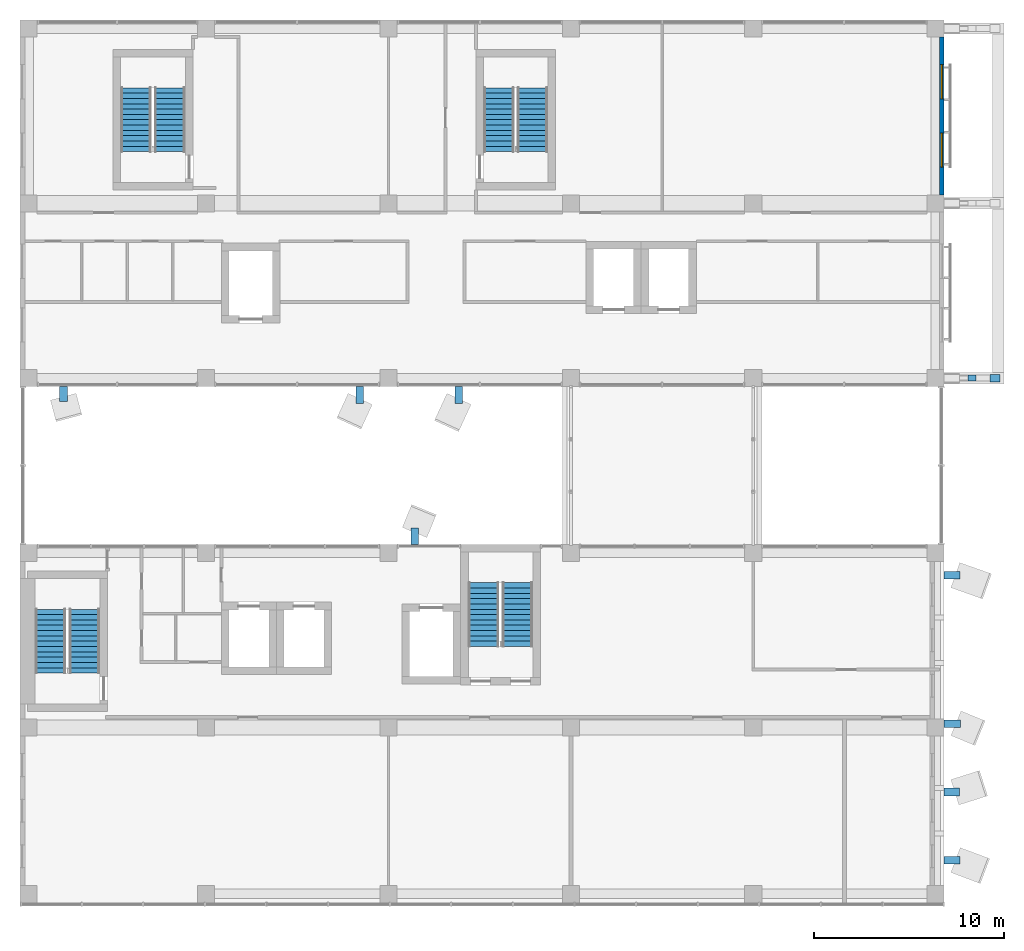
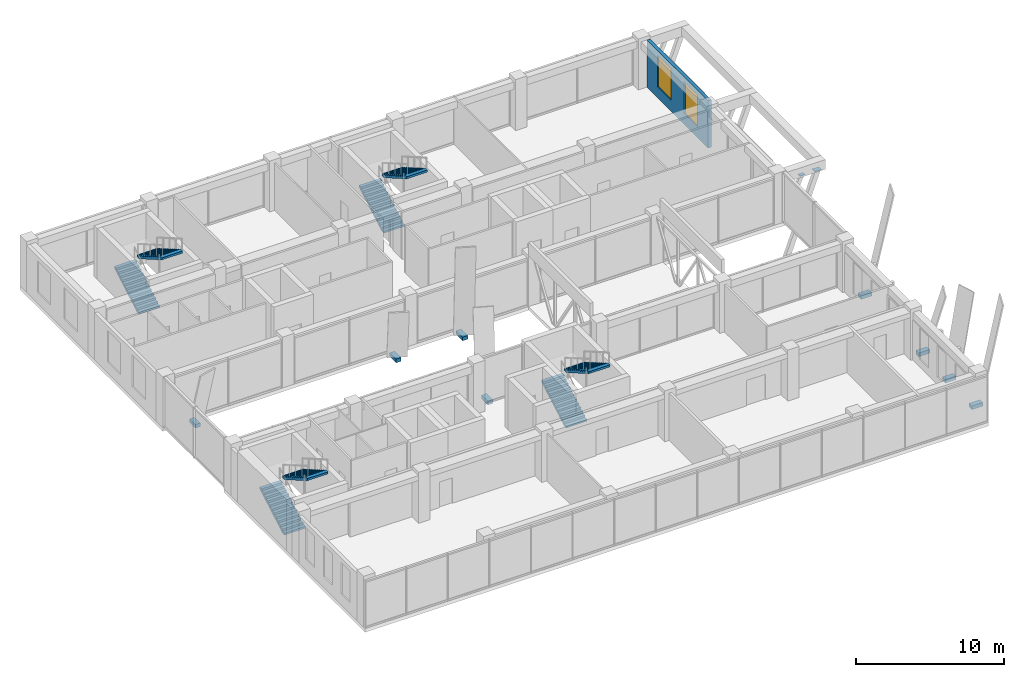
# One storey, part 31 of 38: 10 discrete accessories, 8 stair flights, 2 windows, 1 wall, 2 openings, 4 elements without a shape of their own.
"""IFC4 building model written with IfcOpenShell, lengths in metres."""

from ifc_helpers import new_model, si_unit, direction, frame, frame_2d, origin, origin_2d, place, context, subcontext, project, spatial, polyline, rectangle, outline, extrude, material, layer, layer_set, layer_usage, type_object, element, fill, aggregate, save


model = new_model("IFC4")

# Units and contexts
model_context = context("Model", 3, precision=1e-05, world=origin(), true_north=direction((0.0, 1.0)))
body_context = subcontext(model_context, "Body", "Model", "MODEL_VIEW")
ifc_project = project(units=[si_unit("LENGTHUNIT", "METRE"), si_unit("AREAUNIT", "SQUARE_METRE"), si_unit("VOLUMEUNIT", "CUBIC_METRE"), si_unit("PLANEANGLEUNIT", "RADIAN"), si_unit("MASSUNIT", "GRAM", prefix="KILO")], contexts=[model_context])

# Site, building, storey
site_placement = place(None, origin())
site = spatial("IfcSite", under=ifc_project, at=site_placement, CompositionType="ELEMENT")
building_placement = place(site_placement, origin())
building = spatial("IfcBuilding", under=site, at=building_placement, Name="Nzadi Deep Aquarium and Research Tower", CompositionType="ELEMENT")
storey_placement = place(building_placement, frame((0.0, 0.0, 48.699951171875)))
storey = spatial("IfcBuildingStorey", under=building, at=storey_placement, Name="L09", CompositionType="ELEMENT", Elevation=48.699951171875)

# Wall, openings, windows
ifc_material_1 = material(Name="Concrete C35/45", Category="concrete")
ifc_layer_1 = layer(ifc_material_1, 0.14990234375, Category="cladding")
ifc_material_2 = material(Name="Mineral wool insulation")
ifc_layer_2 = layer(ifc_material_2, 0.070068359375, Category="insulation")
ifc_material_3 = material(Name="Gypsum board lining")
ifc_layer_3 = layer(ifc_material_3, 0.030029296875, Category="lining")
ifc_layer_set = layer_set([ifc_layer_1, ifc_layer_2, ifc_layer_3], Name="Concrete C35/45, Mineral wool insulation, Gypsum board lining")
ifc_layer_usage = layer_usage(ifc_layer_set, "AXIS2", "POSITIVE", -0.125)
wall_type = type_object("IfcWallType", Name="End wall board-formed concrete 250", PredefinedType="ELEMENTEDWALL", material=ifc_layer_set)
wall_placement = place(storey_placement, frame((48.324951171875, 37.25, 0.0), z_axis=(0.0, 0.0, 1.0), x_axis=(0.0, 1.0, 0.0)))
wall = element("IfcWall", 1, at=wall_placement, inside=storey, type_object=wall_type, material=ifc_layer_usage, Name="End wall blade B east L09", PredefinedType="ELEMENTEDWALL", context=body_context, shape_type="SweptSolid", body=[
    extrude(rectangle(XDim=8.300048828125, YDim=0.25, at=frame_2d((4.14990234375, 0.0))), origin(), (0.0, 0.0, 1.0), 3.900146484375),
])
opening_1_placement = place(wall_placement, frame((1.449951171875, 0.0, 0.89990234375)))
opening_1 = element("IfcOpeningElement", 2, at=opening_1_placement, cuts=wall, Name="Opening WN01", PredefinedType="OPENING", context=body_context, shape_type="SweptSolid", body=[
    extrude(rectangle(XDim=1.800048828125, YDim=2.60009765625, at=frame_2d((0.89990234375, 1.300048828125))), frame((0.0, 0.135009765625, 0.0), z_axis=(0.0, -1.0, 0.0), x_axis=(1.0, 0.0, 0.0)), (0.0, 0.0, 1.0), 0.27001953125),
])
opening_2_placement = place(wall_placement, frame((5.050048828125, 0.0, 0.89990234375)))
opening_2 = element("IfcOpeningElement", 3, at=opening_2_placement, cuts=wall, Name="Opening WN01", PredefinedType="OPENING", context=body_context, shape_type="SweptSolid", body=[
    extrude(rectangle(XDim=1.800048828125, YDim=2.60009765625, at=frame_2d((0.89990234375, 1.300048828125))), frame((0.0, 0.135009765625, 0.0), z_axis=(0.0, -1.0, 0.0), x_axis=(1.0, 0.0, 0.0)), (0.0, 0.0, 1.0), 0.27001953125),
])
ifc_material_4 = material(Name="Aluminium window, sage tint glazing", Category="aluminium")
window_type = type_object("IfcWindowType", Name="Slot window 1800x2600 sill 900", PartitioningType="SINGLE_PANEL", PredefinedType="WINDOW", material=ifc_material_4)
window_1_placement = place(opening_1_placement, origin())
window_1 = element("IfcWindow", 4, at=window_1_placement, inside=storey, type_object=window_type, Name="Slot window L09 BE", OverallHeight=2.60009765625, OverallWidth=1.800048828125, PartitioningType="SINGLE_PANEL", PredefinedType="WINDOW", context=body_context, shape_type="SweptSolid", body=[
    extrude(rectangle(XDim=1.800048828125, YDim=2.60009765625, at=frame_2d((0.89990234375, 1.300048828125))), frame((0.0, 0.030029296875, 0.0), z_axis=(0.0, -1.0, 0.0), x_axis=(1.0, 0.0, 0.0)), (0.0, 0.0, 1.0), 0.06005859375),
])
fill(opening_1, window_1)
window_2_placement = place(opening_2_placement, origin())
window_2 = element("IfcWindow", 5, at=window_2_placement, inside=storey, type_object=window_type, Name="Slot window L09 BE", OverallHeight=2.60009765625, OverallWidth=1.800048828125, PartitioningType="SINGLE_PANEL", PredefinedType="WINDOW", context=body_context, shape_type="SweptSolid", body=[
    extrude(rectangle(XDim=1.800048828125, YDim=2.60009765625, at=frame_2d((0.89990234375, 1.300048828125))), frame((0.0, 0.030029296875, 0.0), z_axis=(0.0, -1.0, 0.0), x_axis=(1.0, 0.0, 0.0)), (0.0, 0.0, 1.0), 0.06005859375),
])
fill(opening_2, window_2)

# Stair, stair flights
ifc_material_5 = material(Name="Concrete C35/45", Category="concrete")
stair_type = type_object("IfcStairType", Name="STAIR RETURN 3000", PredefinedType="NOTDEFINED", material=ifc_material_5)
stair_1_placement = place(storey_placement, origin())
stair_1 = element("IfcStair", 6, at=stair_1_placement, inside=storey, type_object=stair_type, Name="Stair ST-Z1-SW L09", PredefinedType="HALF_TURN_STAIR")
ifc_material_6 = material(Name="Concrete C35/45", Category="concrete")
stair_flight_type = type_object("IfcStairFlightType", Name="FLIGHT 1625 13 RISERS 161.5 GOING 280", PredefinedType="STRAIGHT", material=ifc_material_6)
stair_flight_1_placement = place(storey_placement, frame((1.41259765625, 12.070068359375, 0.0), z_axis=(0.0, 0.0, 1.0), x_axis=(0.0, 1.0, 0.0)))
stair_flight_1 = element("IfcStairFlight", 7, at=stair_flight_1_placement, type_object=stair_flight_type, Name="ST-Z1-SW flight 1", NumberOfRisers=13, NumberOfTreads=12, PredefinedType="STRAIGHT", RiserHeight=0.161538462, TreadLength=0.28, context=body_context, shape_type="SweptSolid", body=[
    extrude(outline(polyline([(0.0, 0.0), (0.0, 0.16162109375), (0.280029296875, 0.16162109375), (0.280029296875, 0.322998046875), (0.56005859375, 0.322998046875), (0.56005859375, 0.484619140625), (0.840087890625, 0.484619140625), (0.840087890625, 0.646240234375), (1.1201171875, 0.646240234375), (1.1201171875, 0.8076171875), (1.39990234375, 0.8076171875), (1.39990234375, 0.96923828125), (1.679931640625, 0.96923828125), (1.679931640625, 1.130859375), (1.9599609375, 1.130859375), (1.9599609375, 1.292236328125), (2.239990234375, 1.292236328125), (2.239990234375, 1.453857421875), (2.52001953125, 1.453857421875), (2.52001953125, 1.615478515625), (2.800048828125, 1.615478515625), (2.800048828125, 1.77685546875), (3.080078125, 1.77685546875), (3.080078125, 1.9384765625), (3.360107421875, 1.9384765625), (3.360107421875, 2.10009765625), (3.360107421875, 1.765380859375), (0.300048828125, 0.0), (0.0, 0.0)])), frame((0.0, 0.8125, 0.0), z_axis=(0.0, -1.0, 0.0), x_axis=(1.0, 0.0, 0.0)), (0.0, 0.0, 1.0), 1.625),
])
stair_flight_2_placement = place(storey_placement, frame((3.1875, 15.429931640625, 2.10009765625), z_axis=(0.0, 0.0, 1.0), x_axis=(0.0, -1.0, 0.0)))
stair_flight_2 = element("IfcStairFlight", 8, at=stair_flight_2_placement, type_object=stair_flight_type, Name="ST-Z1-SW flight 2", NumberOfRisers=13, NumberOfTreads=12, PredefinedType="STRAIGHT", RiserHeight=0.161538462, TreadLength=0.28, context=body_context, shape_type="SweptSolid", body=[
    extrude(outline(polyline([(0.0, 0.0), (0.0, 0.16162109375), (0.280029296875, 0.16162109375), (0.280029296875, 0.322998046875), (0.56005859375, 0.322998046875), (0.56005859375, 0.484619140625), (0.840087890625, 0.484619140625), (0.840087890625, 0.646240234375), (1.1201171875, 0.646240234375), (1.1201171875, 0.8076171875), (1.39990234375, 0.8076171875), (1.39990234375, 0.96923828125), (1.679931640625, 0.96923828125), (1.679931640625, 1.130859375), (1.9599609375, 1.130859375), (1.9599609375, 1.292236328125), (2.239990234375, 1.292236328125), (2.239990234375, 1.453857421875), (2.52001953125, 1.453857421875), (2.52001953125, 1.615478515625), (2.800048828125, 1.615478515625), (2.800048828125, 1.77685546875), (3.080078125, 1.77685546875), (3.080078125, 1.9384765625), (3.360107421875, 1.9384765625), (3.360107421875, 2.10009765625), (3.360107421875, 1.765380859375), (0.300048828125, 0.0), (0.0, 0.0)])), frame((0.0, 0.8125, 0.0), z_axis=(0.0, -1.0, 0.0), x_axis=(1.0, 0.0, 0.0)), (0.0, 0.0, 1.0), 1.625),
])
aggregate(stair_1, [stair_flight_1, stair_flight_2])

stair_2_placement = place(storey_placement, origin())
stair_2 = element("IfcStair", 9, at=stair_2_placement, inside=storey, type_object=stair_type, Name="Stair ST-Z1-SE L09", PredefinedType="HALF_TURN_STAIR")
stair_flight_3_placement = place(storey_placement, frame((24.21240234375, 13.469970703125, 0.0), z_axis=(0.0, 0.0, 1.0), x_axis=(0.0, 1.0, 0.0)))
stair_flight_3 = element("IfcStairFlight", 10, at=stair_flight_3_placement, type_object=stair_flight_type, Name="ST-Z1-SE flight 1", NumberOfRisers=13, NumberOfTreads=12, PredefinedType="STRAIGHT", RiserHeight=0.161538462, TreadLength=0.28, context=body_context, shape_type="SweptSolid", body=[
    extrude(outline(polyline([(0.0, 0.0), (0.0, 0.16162109375), (0.280029296875, 0.16162109375), (0.280029296875, 0.322998046875), (0.56005859375, 0.322998046875), (0.56005859375, 0.484619140625), (0.840087890625, 0.484619140625), (0.840087890625, 0.646240234375), (1.1201171875, 0.646240234375), (1.1201171875, 0.8076171875), (1.39990234375, 0.8076171875), (1.39990234375, 0.96923828125), (1.679931640625, 0.96923828125), (1.679931640625, 1.130859375), (1.9599609375, 1.130859375), (1.9599609375, 1.292236328125), (2.239990234375, 1.292236328125), (2.239990234375, 1.453857421875), (2.52001953125, 1.453857421875), (2.52001953125, 1.615478515625), (2.800048828125, 1.615478515625), (2.800048828125, 1.77685546875), (3.080078125, 1.77685546875), (3.080078125, 1.9384765625), (3.360107421875, 1.9384765625), (3.360107421875, 2.10009765625), (3.360107421875, 1.765380859375), (0.300048828125, 0.0), (0.0, 0.0)])), frame((0.0, 0.8125, 0.0), z_axis=(0.0, -1.0, 0.0), x_axis=(1.0, 0.0, 0.0)), (0.0, 0.0, 1.0), 1.625),
])
stair_flight_4_placement = place(storey_placement, frame((25.987548828125, 16.830078125, 2.10009765625), z_axis=(0.0, 0.0, 1.0), x_axis=(0.0, -1.0, 0.0)))
stair_flight_4 = element("IfcStairFlight", 11, at=stair_flight_4_placement, type_object=stair_flight_type, Name="ST-Z1-SE flight 2", NumberOfRisers=13, NumberOfTreads=12, PredefinedType="STRAIGHT", RiserHeight=0.161538462, TreadLength=0.28, context=body_context, shape_type="SweptSolid", body=[
    extrude(outline(polyline([(0.0, 0.0), (0.0, 0.16162109375), (0.280029296875, 0.16162109375), (0.280029296875, 0.322998046875), (0.56005859375, 0.322998046875), (0.56005859375, 0.484619140625), (0.840087890625, 0.484619140625), (0.840087890625, 0.646240234375), (1.1201171875, 0.646240234375), (1.1201171875, 0.8076171875), (1.39990234375, 0.8076171875), (1.39990234375, 0.96923828125), (1.679931640625, 0.96923828125), (1.679931640625, 1.130859375), (1.9599609375, 1.130859375), (1.9599609375, 1.292236328125), (2.239990234375, 1.292236328125), (2.239990234375, 1.453857421875), (2.52001953125, 1.453857421875), (2.52001953125, 1.615478515625), (2.800048828125, 1.615478515625), (2.800048828125, 1.77685546875), (3.080078125, 1.77685546875), (3.080078125, 1.9384765625), (3.360107421875, 1.9384765625), (3.360107421875, 2.10009765625), (3.360107421875, 1.765380859375), (0.300048828125, 0.0), (0.0, 0.0)])), frame((0.0, 0.8125, 0.0), z_axis=(0.0, -1.0, 0.0), x_axis=(1.0, 0.0, 0.0)), (0.0, 0.0, 1.0), 1.625),
])
aggregate(stair_2, [stair_flight_3, stair_flight_4])

stair_3_placement = place(storey_placement, origin())
stair_3 = element("IfcStair", 12, at=stair_3_placement, inside=storey, type_object=stair_type, Name="Stair ST-Z1-NW L09", PredefinedType="HALF_TURN_STAIR")
stair_flight_5_placement = place(storey_placement, frame((5.91259765625, 39.52001953125, 0.0), z_axis=(0.0, 0.0, 1.0), x_axis=(0.0, 1.0, 0.0)))
stair_flight_5 = element("IfcStairFlight", 13, at=stair_flight_5_placement, type_object=stair_flight_type, Name="ST-Z1-NW flight 1", NumberOfRisers=13, NumberOfTreads=12, PredefinedType="STRAIGHT", RiserHeight=0.161538462, TreadLength=0.28, context=body_context, shape_type="SweptSolid", body=[
    extrude(outline(polyline([(0.0, 0.0), (0.0, 0.16162109375), (0.280029296875, 0.16162109375), (0.280029296875, 0.322998046875), (0.56005859375, 0.322998046875), (0.56005859375, 0.484619140625), (0.840087890625, 0.484619140625), (0.840087890625, 0.646240234375), (1.1201171875, 0.646240234375), (1.1201171875, 0.8076171875), (1.39990234375, 0.8076171875), (1.39990234375, 0.96923828125), (1.679931640625, 0.96923828125), (1.679931640625, 1.130859375), (1.9599609375, 1.130859375), (1.9599609375, 1.292236328125), (2.239990234375, 1.292236328125), (2.239990234375, 1.453857421875), (2.52001953125, 1.453857421875), (2.52001953125, 1.615478515625), (2.800048828125, 1.615478515625), (2.800048828125, 1.77685546875), (3.080078125, 1.77685546875), (3.080078125, 1.9384765625), (3.360107421875, 1.9384765625), (3.360107421875, 2.10009765625), (3.360107421875, 1.765380859375), (0.300048828125, 0.0), (0.0, 0.0)])), frame((0.0, 0.8125, 0.0), z_axis=(0.0, -1.0, 0.0), x_axis=(1.0, 0.0, 0.0)), (0.0, 0.0, 1.0), 1.625),
])
stair_flight_6_placement = place(storey_placement, frame((7.6875, 42.8798828125, 2.10009765625), z_axis=(0.0, 0.0, 1.0), x_axis=(0.0, -1.0, 0.0)))
stair_flight_6 = element("IfcStairFlight", 14, at=stair_flight_6_placement, type_object=stair_flight_type, Name="ST-Z1-NW flight 2", NumberOfRisers=13, NumberOfTreads=12, PredefinedType="STRAIGHT", RiserHeight=0.161538462, TreadLength=0.28, context=body_context, shape_type="SweptSolid", body=[
    extrude(outline(polyline([(0.0, 0.0), (0.0, 0.16162109375), (0.280029296875, 0.16162109375), (0.280029296875, 0.322998046875), (0.56005859375, 0.322998046875), (0.56005859375, 0.484619140625), (0.840087890625, 0.484619140625), (0.840087890625, 0.646240234375), (1.1201171875, 0.646240234375), (1.1201171875, 0.8076171875), (1.39990234375, 0.8076171875), (1.39990234375, 0.96923828125), (1.679931640625, 0.96923828125), (1.679931640625, 1.130859375), (1.9599609375, 1.130859375), (1.9599609375, 1.292236328125), (2.239990234375, 1.292236328125), (2.239990234375, 1.453857421875), (2.52001953125, 1.453857421875), (2.52001953125, 1.615478515625), (2.800048828125, 1.615478515625), (2.800048828125, 1.77685546875), (3.080078125, 1.77685546875), (3.080078125, 1.9384765625), (3.360107421875, 1.9384765625), (3.360107421875, 2.10009765625), (3.360107421875, 1.765380859375), (0.300048828125, 0.0), (0.0, 0.0)])), frame((0.0, 0.8125, 0.0), z_axis=(0.0, -1.0, 0.0), x_axis=(1.0, 0.0, 0.0)), (0.0, 0.0, 1.0), 1.625),
])
aggregate(stair_3, [stair_flight_5, stair_flight_6])

stair_4_placement = place(storey_placement, origin())
stair_4 = element("IfcStair", 15, at=stair_4_placement, inside=storey, type_object=stair_type, Name="Stair ST-Z1-NE L09", PredefinedType="HALF_TURN_STAIR")
stair_flight_7_placement = place(storey_placement, frame((25.012451171875, 39.52001953125, 0.0), z_axis=(0.0, 0.0, 1.0), x_axis=(0.0, 1.0, 0.0)))
stair_flight_7 = element("IfcStairFlight", 16, at=stair_flight_7_placement, type_object=stair_flight_type, Name="ST-Z1-NE flight 1", NumberOfRisers=13, NumberOfTreads=12, PredefinedType="STRAIGHT", RiserHeight=0.161538462, TreadLength=0.28, context=body_context, shape_type="SweptSolid", body=[
    extrude(outline(polyline([(0.0, 0.0), (0.0, 0.16162109375), (0.280029296875, 0.16162109375), (0.280029296875, 0.322998046875), (0.56005859375, 0.322998046875), (0.56005859375, 0.484619140625), (0.840087890625, 0.484619140625), (0.840087890625, 0.646240234375), (1.1201171875, 0.646240234375), (1.1201171875, 0.8076171875), (1.39990234375, 0.8076171875), (1.39990234375, 0.96923828125), (1.679931640625, 0.96923828125), (1.679931640625, 1.130859375), (1.9599609375, 1.130859375), (1.9599609375, 1.292236328125), (2.239990234375, 1.292236328125), (2.239990234375, 1.453857421875), (2.52001953125, 1.453857421875), (2.52001953125, 1.615478515625), (2.800048828125, 1.615478515625), (2.800048828125, 1.77685546875), (3.080078125, 1.77685546875), (3.080078125, 1.9384765625), (3.360107421875, 1.9384765625), (3.360107421875, 2.10009765625), (3.360107421875, 1.765380859375), (0.300048828125, 0.0), (0.0, 0.0)])), frame((0.0, 0.8125, 0.0), z_axis=(0.0, -1.0, 0.0), x_axis=(1.0, 0.0, 0.0)), (0.0, 0.0, 1.0), 1.625),
])
stair_flight_8_placement = place(storey_placement, frame((26.78759765625, 42.8798828125, 2.10009765625), z_axis=(0.0, 0.0, 1.0), x_axis=(0.0, -1.0, 0.0)))
stair_flight_8 = element("IfcStairFlight", 17, at=stair_flight_8_placement, type_object=stair_flight_type, Name="ST-Z1-NE flight 2", NumberOfRisers=13, NumberOfTreads=12, PredefinedType="STRAIGHT", RiserHeight=0.161538462, TreadLength=0.28, context=body_context, shape_type="SweptSolid", body=[
    extrude(outline(polyline([(0.0, 0.0), (0.0, 0.16162109375), (0.280029296875, 0.16162109375), (0.280029296875, 0.322998046875), (0.56005859375, 0.322998046875), (0.56005859375, 0.484619140625), (0.840087890625, 0.484619140625), (0.840087890625, 0.646240234375), (1.1201171875, 0.646240234375), (1.1201171875, 0.8076171875), (1.39990234375, 0.8076171875), (1.39990234375, 0.96923828125), (1.679931640625, 0.96923828125), (1.679931640625, 1.130859375), (1.9599609375, 1.130859375), (1.9599609375, 1.292236328125), (2.239990234375, 1.292236328125), (2.239990234375, 1.453857421875), (2.52001953125, 1.453857421875), (2.52001953125, 1.615478515625), (2.800048828125, 1.615478515625), (2.800048828125, 1.77685546875), (3.080078125, 1.77685546875), (3.080078125, 1.9384765625), (3.360107421875, 1.9384765625), (3.360107421875, 2.10009765625), (3.360107421875, 1.765380859375), (0.300048828125, 0.0), (0.0, 0.0)])), frame((0.0, 0.8125, 0.0), z_axis=(0.0, -1.0, 0.0), x_axis=(1.0, 0.0, 0.0)), (0.0, 0.0, 1.0), 1.625),
])
aggregate(stair_4, [stair_flight_7, stair_flight_8])

# Discrete accessories
discrete_accessory_1_placement = place(storey_placement, frame((51.116455078125, 27.60009765625, 3.0751953125), z_axis=(0.0, 0.0, 1.0), x_axis=(1.0, 0.0, 0.0)))
element("IfcDiscreteAccessory", 18, at=discrete_accessory_1_placement, inside=storey, Name="Strut head end plate", PredefinedType="BRACKET", context=body_context, shape_type="SweptSolid", body=[
    extrude(rectangle(XDim=0.526611328125, YDim=0.39990234375, at=origin_2d()), origin(), (0.0, 0.0, 1.0), 0.02490234375),
])
discrete_accessory_2_placement = place(storey_placement, frame((49.914794921875, 27.60009765625, 3.0751953125), z_axis=(0.0, 0.0, 1.0), x_axis=(1.0, 0.0, 0.0)))
element("IfcDiscreteAccessory", 19, at=discrete_accessory_2_placement, inside=storey, Name="Strut head end plate", PredefinedType="BRACKET", context=body_context, shape_type="SweptSolid", body=[
    extrude(rectangle(XDim=0.4267578125, YDim=0.300048828125, at=origin_2d()), origin(), (0.0, 0.0, 1.0), 0.02490234375),
])
discrete_accessory_3_placement = place(storey_placement, frame((48.87255859375, 2.2099609375, -0.2998046875), z_axis=(0.0, 0.0, 1.0), x_axis=(1.0, 0.0, 0.0)))
element("IfcDiscreteAccessory", 20, at=discrete_accessory_3_placement, inside=storey, Name="Fold blade bracket", PredefinedType="BRACKET", context=body_context, shape_type="SweptSolid", body=[
    extrude(rectangle(XDim=0.84521484375, YDim=0.39990234375, at=origin_2d()), origin(), (0.0, 0.0, 1.0), 0.300048828125),
])
discrete_accessory_4_placement = place(storey_placement, frame((48.855712890625, 5.81005859375, -0.2998046875), z_axis=(0.0, 0.0, 1.0), x_axis=(1.0, 0.0, 0.0)))
element("IfcDiscreteAccessory", 21, at=discrete_accessory_4_placement, inside=storey, Name="Fold blade bracket", PredefinedType="BRACKET", context=body_context, shape_type="SweptSolid", body=[
    extrude(rectangle(XDim=0.811767578125, YDim=0.39990234375, at=origin_2d()), origin(), (0.0, 0.0, 1.0), 0.300048828125),
])
discrete_accessory_5_placement = place(storey_placement, frame((48.8828125, 9.409912109375, -0.2998046875), z_axis=(0.0, 0.0, 1.0), x_axis=(1.0, 0.0, 0.0)))
element("IfcDiscreteAccessory", 22, at=discrete_accessory_5_placement, inside=storey, Name="Fold blade bracket", PredefinedType="BRACKET", context=body_context, shape_type="SweptSolid", body=[
    extrude(rectangle(XDim=0.865478515625, YDim=0.39990234375, at=origin_2d()), origin(), (0.0, 0.0, 1.0), 0.300048828125),
])
discrete_accessory_6_placement = place(storey_placement, frame((48.86669921875, 17.2099609375, -0.2998046875), z_axis=(0.0, 0.0, 1.0), x_axis=(1.0, 0.0, 0.0)))
element("IfcDiscreteAccessory", 23, at=discrete_accessory_6_placement, inside=storey, Name="Fold blade bracket", PredefinedType="BRACKET", context=body_context, shape_type="SweptSolid", body=[
    extrude(rectangle(XDim=0.833740234375, YDim=0.39990234375, at=origin_2d()), origin(), (0.0, 0.0, 1.0), 0.300048828125),
])
discrete_accessory_7_placement = place(storey_placement, frame((20.590087890625, 19.283447265625, -0.2998046875), z_axis=(0.0, 0.0, 1.0), x_axis=(1.0, 0.0, 0.0)))
element("IfcDiscreteAccessory", 24, at=discrete_accessory_7_placement, inside=storey, Name="Fold blade bracket", PredefinedType="BRACKET", context=body_context, shape_type="SweptSolid", body=[
    extrude(rectangle(XDim=0.39990234375, YDim=0.86669921875, at=origin_2d()), origin(), (0.0, 0.0, 1.0), 0.300048828125),
])
discrete_accessory_8_placement = place(storey_placement, frame((2.090087890625, 26.759521484375, -0.2998046875), z_axis=(0.0, 0.0, 1.0), x_axis=(1.0, 0.0, 0.0)))
element("IfcDiscreteAccessory", 25, at=discrete_accessory_8_placement, inside=storey, Name="Fold blade bracket", PredefinedType="BRACKET", context=body_context, shape_type="SweptSolid", body=[
    extrude(rectangle(XDim=0.39990234375, YDim=0.78125, at=origin_2d()), origin(), (0.0, 0.0, 1.0), 0.300048828125),
])
for number, where, z_axis, x_axis, name in (
    (26, (17.68994140625, 26.70361328125, -0.2998046875), (0.0, 0.0, 1.0), (1.0, 0.0, 0.0), "Fold blade bracket"),
    (27, (22.889892578125, 26.70361328125, -0.2998046875), (0.0, 0.0, 1.0), (1.0, 0.0, 0.0), "Fold blade bracket"),
):
    element("IfcDiscreteAccessory", number, at=place(storey_placement, frame(where, z_axis=z_axis, x_axis=x_axis)), inside=storey, Name=name, PredefinedType="BRACKET", context=body_context, shape_type="SweptSolid", body=[
        extrude(rectangle(XDim=0.39990234375, YDim=0.892578125, at=origin_2d()), origin(), (0.0, 0.0, 1.0), 0.300048828125),
    ])

save(model, "model.ifc")
